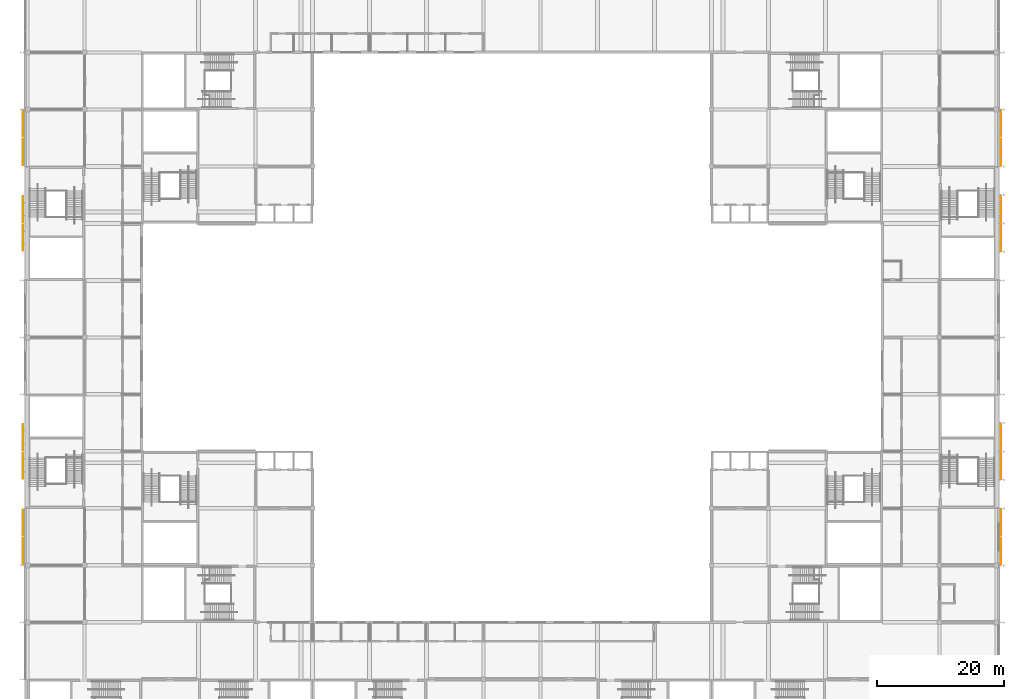
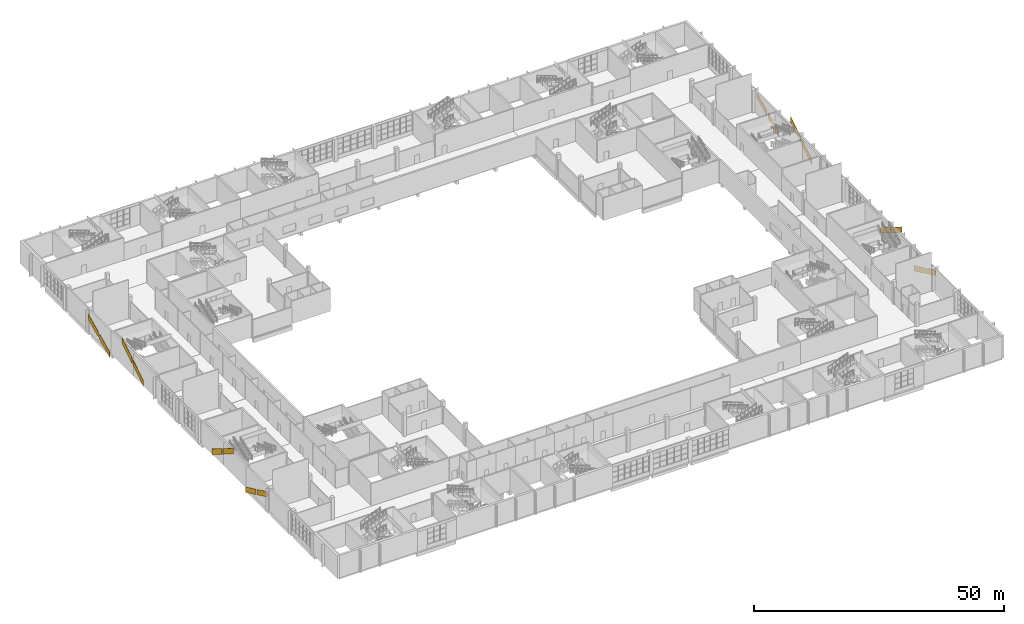
# One storey, part 84 of 84: 16 coverings.
"""IFC4 building model written with IfcOpenShell, lengths in metres."""

from ifc_helpers import new_model, si_unit, direction, frame, origin, place, context, subcontext, project, spatial, faceted_brep, material, layer, layer_set, type_object, element, save


model = new_model("IFC4")

# Units and contexts
model_context = context("Model", 3, precision=1e-05, world=origin(), true_north=direction((0.0, 1.0)))
body_context = subcontext(model_context, "Body", "Model", "MODEL_VIEW")
ifc_project = project(units=[si_unit("LENGTHUNIT", "METRE"), si_unit("AREAUNIT", "SQUARE_METRE"), si_unit("VOLUMEUNIT", "CUBIC_METRE"), si_unit("PLANEANGLEUNIT", "RADIAN"), si_unit("MASSUNIT", "GRAM", prefix="KILO")], contexts=[model_context])

# Site, building, storey
site_placement = place(None, origin())
site = spatial("IfcSite", under=ifc_project, at=site_placement, CompositionType="ELEMENT")
building_placement = place(site_placement, origin())
building = spatial("IfcBuilding", under=site, at=building_placement, Name="Silverbay Arena", CompositionType="ELEMENT")
storey_placement = place(building_placement, frame((0.0, 0.0, 28.0)))
storey = spatial("IfcBuildingStorey", under=building, at=storey_placement, Name="L04", CompositionType="ELEMENT", Elevation=28.0)

# Coverings
ifc_material = material(Name="Stainless steel grade 316, brushed", Category="steel")
ifc_layer = layer(ifc_material, 0.06005859375)
ifc_layer_set = layer_set([ifc_layer], Name="Stainless steel grade 316, brushed")
covering_type = type_object("IfcCoveringType", Name="Stainless rainscreen band panel 60", PredefinedType="CLADDING", material=ifc_layer_set)
covering_1_placement = place(storey_placement, origin())
element("IfcCovering", 1, at=covering_1_placement, inside=storey, type_object=covering_type, Name="West raked band panel lower 1", PredefinedType="CLADDING", context=body_context, shape_type="Brep", body=[
    faceted_brep([(53.320068359375, 45.199951171875, 3.205078125), (53.320068359375, 49.300048828125, 1.257568359375), (53.320068359375, 49.300048828125, 2.5859375), (53.320068359375, 45.199951171875, 4.533447265625), (53.260009765625, 45.199951171875, 4.533447265625), (53.260009765625, 49.300048828125, 2.5859375), (53.260009765625, 49.300048828125, 1.257568359375), (53.260009765625, 45.199951171875, 3.205078125)], [[[0, 1, 2, 3]], [[4, 5, 6, 7]], [[7, 6, 1, 0]], [[6, 5, 2, 1]], [[5, 4, 3, 2]], [[4, 7, 0, 3]]]),
])
covering_2_placement = place(storey_placement, origin())
element("IfcCovering", 2, at=covering_2_placement, inside=storey, type_object=covering_type, Name="West raked band panel lower 2", PredefinedType="CLADDING", context=body_context, shape_type="Brep", body=[
    faceted_brep([(53.320068359375, 49.699951171875, 1.0673828125), (53.320068359375, 53.800048828125, -0.8798828125), (53.320068359375, 53.800048828125, 0.448486328125), (53.320068359375, 49.699951171875, 2.39599609375), (53.260009765625, 49.699951171875, 2.39599609375), (53.260009765625, 53.800048828125, 0.448486328125), (53.260009765625, 53.800048828125, -0.8798828125), (53.260009765625, 49.699951171875, 1.0673828125)], [[[0, 1, 2, 3]], [[4, 5, 6, 7]], [[7, 6, 1, 0]], [[6, 5, 2, 1]], [[5, 4, 3, 2]], [[4, 7, 0, 3]]]),
])
covering_3_placement = place(storey_placement, origin())
element("IfcCovering", 3, at=covering_3_placement, inside=storey, type_object=covering_type, Name="West raked band panel lower 15", PredefinedType="CLADDING", context=body_context, shape_type="Brep", body=[
    faceted_brep([(53.320068359375, 108.199951171875, -0.8798828125), (53.320068359375, 112.300048828125, 1.0673828125), (53.320068359375, 112.300048828125, 2.39599609375), (53.320068359375, 108.199951171875, 0.448486328125), (53.260009765625, 108.199951171875, 0.448486328125), (53.260009765625, 112.300048828125, 2.39599609375), (53.260009765625, 112.300048828125, 1.0673828125), (53.260009765625, 108.199951171875, -0.8798828125)], [[[0, 1, 2, 3]], [[4, 5, 6, 7]], [[7, 6, 1, 0]], [[6, 5, 2, 1]], [[5, 4, 3, 2]], [[4, 7, 0, 3]]]),
])
covering_4_placement = place(storey_placement, origin())
element("IfcCovering", 4, at=covering_4_placement, inside=storey, type_object=covering_type, Name="West raked band panel lower 16", PredefinedType="CLADDING", context=body_context, shape_type="Brep", body=[
    faceted_brep([(53.320068359375, 112.699951171875, 1.257568359375), (53.320068359375, 116.800048828125, 3.205078125), (53.320068359375, 116.800048828125, 4.533447265625), (53.320068359375, 112.699951171875, 2.5859375), (53.260009765625, 112.699951171875, 2.5859375), (53.260009765625, 116.800048828125, 4.533447265625), (53.260009765625, 116.800048828125, 3.205078125), (53.260009765625, 112.699951171875, 1.257568359375)], [[[0, 1, 2, 3]], [[4, 5, 6, 7]], [[7, 6, 1, 0]], [[6, 5, 2, 1]], [[5, 4, 3, 2]], [[4, 7, 0, 3]]]),
])
covering_5_placement = place(storey_placement, origin())
element("IfcCovering", 5, at=covering_5_placement, inside=storey, type_object=covering_type, Name="West raked band panel upper 1", PredefinedType="CLADDING", context=body_context, shape_type="Brep", body=[
    faceted_brep([(53.320068359375, 58.699951171875, 5.53759765625), (53.320068359375, 62.800048828125, 2.97509765625), (53.320068359375, 62.800048828125, 4.39013671875), (53.320068359375, 58.699951171875, 6.95263671875), (53.260009765625, 58.699951171875, 6.95263671875), (53.260009765625, 62.800048828125, 4.39013671875), (53.260009765625, 62.800048828125, 2.97509765625), (53.260009765625, 58.699951171875, 5.53759765625)], [[[0, 1, 2, 3]], [[4, 5, 6, 7]], [[7, 6, 1, 0]], [[6, 5, 2, 1]], [[5, 4, 3, 2]], [[4, 7, 0, 3]]]),
])
covering_6_placement = place(storey_placement, origin())
element("IfcCovering", 6, at=covering_6_placement, inside=storey, type_object=covering_type, Name="West raked band panel upper 2", PredefinedType="CLADDING", context=body_context, shape_type="Brep", body=[
    faceted_brep([(53.320068359375, 63.199951171875, 2.72509765625), (53.320068359375, 67.300048828125, 0.16259765625), (53.320068359375, 67.300048828125, 1.57763671875), (53.320068359375, 63.199951171875, 4.14013671875), (53.260009765625, 63.199951171875, 4.14013671875), (53.260009765625, 67.300048828125, 1.57763671875), (53.260009765625, 67.300048828125, 0.16259765625), (53.260009765625, 63.199951171875, 2.72509765625)], [[[0, 1, 2, 3]], [[4, 5, 6, 7]], [[7, 6, 1, 0]], [[6, 5, 2, 1]], [[5, 4, 3, 2]], [[4, 7, 0, 3]]]),
])
covering_7_placement = place(storey_placement, origin())
element("IfcCovering", 7, at=covering_7_placement, inside=storey, type_object=covering_type, Name="West raked band panel upper 9", PredefinedType="CLADDING", context=body_context, shape_type="Brep", body=[
    faceted_brep([(53.320068359375, 94.699951171875, 0.16259765625), (53.320068359375, 98.800048828125, 2.72509765625), (53.320068359375, 98.800048828125, 4.14013671875), (53.320068359375, 94.699951171875, 1.57763671875), (53.260009765625, 94.699951171875, 1.57763671875), (53.260009765625, 98.800048828125, 4.14013671875), (53.260009765625, 98.800048828125, 2.72509765625), (53.260009765625, 94.699951171875, 0.16259765625)], [[[0, 1, 2, 3]], [[4, 5, 6, 7]], [[7, 6, 1, 0]], [[6, 5, 2, 1]], [[5, 4, 3, 2]], [[4, 7, 0, 3]]]),
])
covering_8_placement = place(storey_placement, origin())
element("IfcCovering", 8, at=covering_8_placement, inside=storey, type_object=covering_type, Name="West raked band panel upper 10", PredefinedType="CLADDING", context=body_context, shape_type="Brep", body=[
    faceted_brep([(53.320068359375, 99.199951171875, 2.97509765625), (53.320068359375, 103.300048828125, 5.53759765625), (53.320068359375, 103.300048828125, 6.95263671875), (53.320068359375, 99.199951171875, 4.39013671875), (53.260009765625, 99.199951171875, 4.39013671875), (53.260009765625, 103.300048828125, 6.95263671875), (53.260009765625, 103.300048828125, 5.53759765625), (53.260009765625, 99.199951171875, 2.97509765625)], [[[0, 1, 2, 3]], [[4, 5, 6, 7]], [[7, 6, 1, 0]], [[6, 5, 2, 1]], [[5, 4, 3, 2]], [[4, 7, 0, 3]]]),
])
covering_9_placement = place(storey_placement, origin())
element("IfcCovering", 9, at=covering_9_placement, inside=storey, type_object=covering_type, Name="East raked band panel lower 1", PredefinedType="CLADDING", context=body_context, shape_type="Brep", body=[
    faceted_brep([(207.679931640625, 45.199951171875, 4.533447265625), (207.679931640625, 49.300048828125, 2.5859375), (207.679931640625, 49.300048828125, 1.257568359375), (207.679931640625, 45.199951171875, 3.205078125), (207.739990234375, 45.199951171875, 3.205078125), (207.739990234375, 49.300048828125, 1.257568359375), (207.739990234375, 49.300048828125, 2.5859375), (207.739990234375, 45.199951171875, 4.533447265625)], [[[0, 1, 2, 3]], [[4, 5, 6, 7]], [[3, 2, 5, 4]], [[2, 1, 6, 5]], [[1, 0, 7, 6]], [[0, 3, 4, 7]]]),
])
covering_10_placement = place(storey_placement, origin())
element("IfcCovering", 10, at=covering_10_placement, inside=storey, type_object=covering_type, Name="East raked band panel lower 2", PredefinedType="CLADDING", context=body_context, shape_type="Brep", body=[
    faceted_brep([(207.679931640625, 49.699951171875, 2.39599609375), (207.679931640625, 53.800048828125, 0.448486328125), (207.679931640625, 53.800048828125, -0.8798828125), (207.679931640625, 49.699951171875, 1.0673828125), (207.739990234375, 49.699951171875, 1.0673828125), (207.739990234375, 53.800048828125, -0.8798828125), (207.739990234375, 53.800048828125, 0.448486328125), (207.739990234375, 49.699951171875, 2.39599609375)], [[[0, 1, 2, 3]], [[4, 5, 6, 7]], [[3, 2, 5, 4]], [[2, 1, 6, 5]], [[1, 0, 7, 6]], [[0, 3, 4, 7]]]),
])
covering_11_placement = place(storey_placement, origin())
element("IfcCovering", 11, at=covering_11_placement, inside=storey, type_object=covering_type, Name="East raked band panel lower 15", PredefinedType="CLADDING", context=body_context, shape_type="Brep", body=[
    faceted_brep([(207.679931640625, 108.199951171875, 0.448486328125), (207.679931640625, 112.300048828125, 2.39599609375), (207.679931640625, 112.300048828125, 1.0673828125), (207.679931640625, 108.199951171875, -0.8798828125), (207.739990234375, 108.199951171875, -0.8798828125), (207.739990234375, 112.300048828125, 1.0673828125), (207.739990234375, 112.300048828125, 2.39599609375), (207.739990234375, 108.199951171875, 0.448486328125)], [[[0, 1, 2, 3]], [[4, 5, 6, 7]], [[3, 2, 5, 4]], [[2, 1, 6, 5]], [[1, 0, 7, 6]], [[0, 3, 4, 7]]]),
])
covering_12_placement = place(storey_placement, origin())
element("IfcCovering", 12, at=covering_12_placement, inside=storey, type_object=covering_type, Name="East raked band panel lower 16", PredefinedType="CLADDING", context=body_context, shape_type="Brep", body=[
    faceted_brep([(207.679931640625, 112.699951171875, 2.5859375), (207.679931640625, 116.800048828125, 4.533447265625), (207.679931640625, 116.800048828125, 3.205078125), (207.679931640625, 112.699951171875, 1.257568359375), (207.739990234375, 112.699951171875, 1.257568359375), (207.739990234375, 116.800048828125, 3.205078125), (207.739990234375, 116.800048828125, 4.533447265625), (207.739990234375, 112.699951171875, 2.5859375)], [[[0, 1, 2, 3]], [[4, 5, 6, 7]], [[3, 2, 5, 4]], [[2, 1, 6, 5]], [[1, 0, 7, 6]], [[0, 3, 4, 7]]]),
])
covering_13_placement = place(storey_placement, origin())
element("IfcCovering", 13, at=covering_13_placement, inside=storey, type_object=covering_type, Name="East raked band panel upper 1", PredefinedType="CLADDING", context=body_context, shape_type="Brep", body=[
    faceted_brep([(207.679931640625, 58.699951171875, 6.95263671875), (207.679931640625, 62.800048828125, 4.39013671875), (207.679931640625, 62.800048828125, 2.97509765625), (207.679931640625, 58.699951171875, 5.53759765625), (207.739990234375, 58.699951171875, 5.53759765625), (207.739990234375, 62.800048828125, 2.97509765625), (207.739990234375, 62.800048828125, 4.39013671875), (207.739990234375, 58.699951171875, 6.95263671875)], [[[0, 1, 2, 3]], [[4, 5, 6, 7]], [[3, 2, 5, 4]], [[2, 1, 6, 5]], [[1, 0, 7, 6]], [[0, 3, 4, 7]]]),
])
covering_14_placement = place(storey_placement, origin())
element("IfcCovering", 14, at=covering_14_placement, inside=storey, type_object=covering_type, Name="East raked band panel upper 2", PredefinedType="CLADDING", context=body_context, shape_type="Brep", body=[
    faceted_brep([(207.679931640625, 63.199951171875, 4.14013671875), (207.679931640625, 67.300048828125, 1.57763671875), (207.679931640625, 67.300048828125, 0.16259765625), (207.679931640625, 63.199951171875, 2.72509765625), (207.739990234375, 63.199951171875, 2.72509765625), (207.739990234375, 67.300048828125, 0.16259765625), (207.739990234375, 67.300048828125, 1.57763671875), (207.739990234375, 63.199951171875, 4.14013671875)], [[[0, 1, 2, 3]], [[4, 5, 6, 7]], [[3, 2, 5, 4]], [[2, 1, 6, 5]], [[1, 0, 7, 6]], [[0, 3, 4, 7]]]),
])
covering_15_placement = place(storey_placement, origin())
element("IfcCovering", 15, at=covering_15_placement, inside=storey, type_object=covering_type, Name="East raked band panel upper 9", PredefinedType="CLADDING", context=body_context, shape_type="Brep", body=[
    faceted_brep([(207.679931640625, 94.699951171875, 1.57763671875), (207.679931640625, 98.800048828125, 4.14013671875), (207.679931640625, 98.800048828125, 2.72509765625), (207.679931640625, 94.699951171875, 0.16259765625), (207.739990234375, 94.699951171875, 0.16259765625), (207.739990234375, 98.800048828125, 2.72509765625), (207.739990234375, 98.800048828125, 4.14013671875), (207.739990234375, 94.699951171875, 1.57763671875)], [[[0, 1, 2, 3]], [[4, 5, 6, 7]], [[3, 2, 5, 4]], [[2, 1, 6, 5]], [[1, 0, 7, 6]], [[0, 3, 4, 7]]]),
])
covering_16_placement = place(storey_placement, origin())
element("IfcCovering", 16, at=covering_16_placement, inside=storey, type_object=covering_type, Name="East raked band panel upper 10", PredefinedType="CLADDING", context=body_context, shape_type="Brep", body=[
    faceted_brep([(207.679931640625, 99.199951171875, 4.39013671875), (207.679931640625, 103.300048828125, 6.95263671875), (207.679931640625, 103.300048828125, 5.53759765625), (207.679931640625, 99.199951171875, 2.97509765625), (207.739990234375, 99.199951171875, 2.97509765625), (207.739990234375, 103.300048828125, 5.53759765625), (207.739990234375, 103.300048828125, 6.95263671875), (207.739990234375, 99.199951171875, 4.39013671875)], [[[0, 1, 2, 3]], [[4, 5, 6, 7]], [[3, 2, 5, 4]], [[2, 1, 6, 5]], [[1, 0, 7, 6]], [[0, 3, 4, 7]]]),
])

save(model, "model.ifc")
